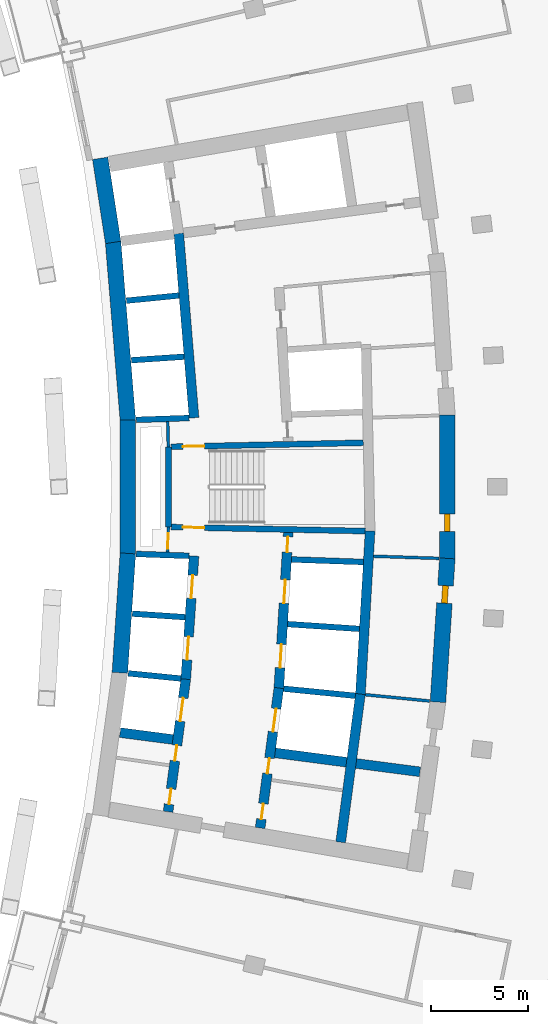
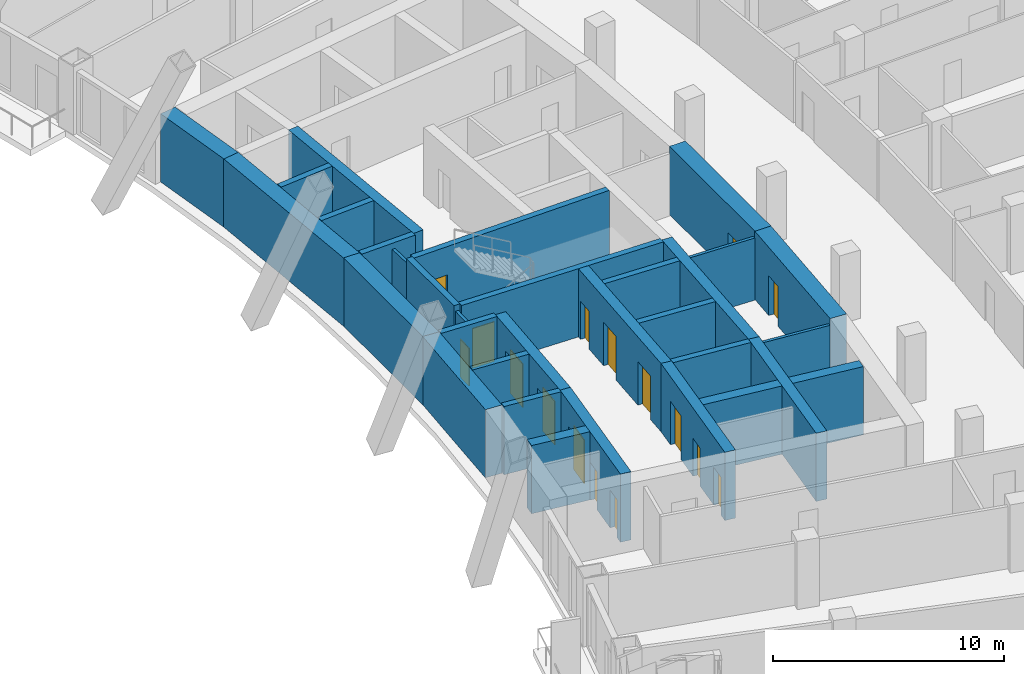
# One storey, part 16 of 25: 32 walls, 16 doors, 16 openings.
"""IFC4 building model written with IfcOpenShell, lengths in metres."""

from ifc_helpers import new_model, si_unit, direction, frame, frame_2d, origin, place, context, subcontext, project, spatial, rectangle, extrude, material, layer, layer_set, type_object, element, fill, save


model = new_model("IFC4")

# Units and contexts
model_context = context("Model", 3, precision=1e-05, world=origin(), true_north=direction((0.0, 1.0)))
body_context = subcontext(model_context, "Body", "Model", "MODEL_VIEW")
ifc_project = project(units=[si_unit("LENGTHUNIT", "METRE"), si_unit("AREAUNIT", "SQUARE_METRE"), si_unit("VOLUMEUNIT", "CUBIC_METRE"), si_unit("PLANEANGLEUNIT", "RADIAN"), si_unit("MASSUNIT", "GRAM", prefix="KILO")], contexts=[model_context])

# Site, building, storey
site_placement = place(None, origin())
site = spatial("IfcSite", under=ifc_project, at=site_placement, CompositionType="ELEMENT")
building_placement = place(site_placement, origin())
building = spatial("IfcBuilding", under=site, at=building_placement, Name="Alderwake Tower", CompositionType="ELEMENT")
storey_placement = place(building_placement, frame((0.0, 0.0, 114.800048828125)))
storey = spatial("IfcBuildingStorey", under=building, at=storey_placement, Name="L28", CompositionType="ELEMENT", Elevation=114.800048828125)

# Wall, opening, door
ifc_material_1 = material(Name="Gypsum shaft wall system, rated")
ifc_layer_1 = layer(ifc_material_1, 0.14990234375)
ifc_layer_set_1 = layer_set([ifc_layer_1], Name="Core room partition 150")
wall_type_1 = type_object("IfcWallType", Name="Core room partition 150", PredefinedType="PARTITIONING", material=ifc_layer_set_1)
wall_1_placement = place(storey_placement, frame((18.918701171875, 58.94384765625, 0.0), z_axis=(0.0, 0.0, 1.0), x_axis=(-0.027348257573, -0.999625966453, 0.0)))
wall_1 = element("IfcWall", 1, at=wall_1_placement, inside=storey, type_object=wall_type_1, Name="CW/L28/PA+24_-37", PredefinedType="PARTITIONING", context=body_context, shape_type="SweptSolid", body=[
    extrude(rectangle(XDim=1.29443359375, YDim=0.14990234375, at=frame_2d((0.647216796875, 0.0))), origin(), (0.0, 0.0, 1.0), 3.280029296875),
])
opening_1_placement = place(wall_1_placement, frame((0.322998046875, 0.0, 0.0)))
opening_1 = element("IfcOpeningElement", 2, at=opening_1_placement, cuts=wall_1, Name="Opening C004", PredefinedType="OPENING", context=body_context, shape_type="SweptSolid", body=[
    extrude(rectangle(XDim=0.800048828125, YDim=2.0, at=frame_2d((0.39990234375, 1.0))), frame((0.0, 0.0849609375, 0.0), z_axis=(0.0, -1.0, 0.0), x_axis=(1.0, 0.0, 0.0)), (0.0, 0.0, 1.0), 0.169921875),
])
ifc_material_2 = material(Name="Painted steel leaf, rated", Category="steel")
door_type_1 = type_object("IfcDoorType", Name="Riser access door 800", OperationType="SINGLE_SWING_LEFT", PredefinedType="DOOR", material=ifc_material_2)
door_1_placement = place(opening_1_placement, origin())
door_1 = element("IfcDoor", 3, at=door_1_placement, inside=storey, type_object=door_type_1, Name="Riser access door", OperationType="SINGLE_SWING_RIGHT", OverallHeight=2.0, OverallWidth=0.800048828125, PredefinedType="DOOR", context=body_context, shape_type="SweptSolid", body=[
    extrude(rectangle(XDim=0.800048828125, YDim=2.0, at=frame_2d((0.39990234375, 1.0))), frame((0.0, 0.02490234375, 0.0), z_axis=(0.0, -1.0, 0.0), x_axis=(1.0, 0.0, 0.0)), (0.0, 0.0, 1.0), 0.050048828125),
])
fill(opening_1, door_1)

# Walls
wall_2_placement = place(storey_placement, frame((18.918701171875, 63.05517578125, 0.0), z_axis=(0.0, 0.0, 1.0), x_axis=(-0.027327648352, 0.999626530078, 0.0)))
element("IfcWall", 4, at=wall_2_placement, inside=storey, type_object=wall_type_1, Name="CW/L28/PA+24_+22", PredefinedType="PARTITIONING", context=body_context, shape_type="SweptSolid", body=[
    extrude(rectangle(XDim=1.29541015625, YDim=0.14990234375, at=frame_2d((0.647705078125, 0.0))), origin(), (0.0, 0.0, 1.0), 3.280029296875),
])
wall_3_placement = place(storey_placement, frame((29.029296875, 50.331298828125, 0.0), z_axis=(0.0, 0.0, 1.0), x_axis=(0.995248248589, -0.097370034814, 0.0)))
element("IfcWall", 5, at=wall_3_placement, inside=storey, type_object=wall_type_1, Name="CW/L28/PR-102_+128", PredefinedType="PARTITIONING", context=body_context, shape_type="SweptSolid", body=[
    extrude(rectangle(XDim=3.31982421875, YDim=0.14990234375, at=frame_2d((1.659912109375, 0.0))), origin(), (0.0, 0.0, 1.0), 3.280029296875),
])
wall_4_placement = place(storey_placement, frame((29.45068359375, 57.440185546875, 0.0), z_axis=(0.0, 0.0, 1.0), x_axis=(0.999470404779, -0.0325408969, 0.0)))
element("IfcWall", 6, at=wall_4_placement, inside=storey, type_object=wall_type_1, Name="CW/L28/PR-34_+128", PredefinedType="PARTITIONING", context=body_context, shape_type="SweptSolid", body=[
    extrude(rectangle(XDim=3.361083984375, YDim=0.14990234375, at=frame_2d((1.6806640625, 0.0))), origin(), (0.0, 0.0, 1.0), 3.280029296875),
])
ifc_material_3 = material(Name="Concrete C70/85", Category="concrete")
ifc_layer_2 = layer(ifc_material_3, 0.800048828125)
ifc_layer_set_2 = layer_set([ifc_layer_2], Name="Core wall outer 800 C70-85")
wall_type_2 = type_object("IfcWallType", Name="Core wall outer 800 C70-85", PredefinedType="SHEAR", material=ifc_layer_set_2)
wall_5_placement = place(storey_placement, frame((16.429443359375, 51.45654296875, 0.0), z_axis=(0.0, 0.0, 1.0), x_axis=(0.066885651624, 0.997760647454, 0.0)))
element("IfcWall", 7, at=wall_5_placement, inside=storey, type_object=wall_type_2, Name="Core wall CW.041", PredefinedType="SHEAR", context=body_context, shape_type="SweptSolid", body=[
    extrude(rectangle(XDim=6.14306640625, YDim=0.800048828125, at=frame_2d((3.071533203125, 0.0))), origin(), (0.0, 0.0, 1.0), 3.599853515625),
])
wall_6_placement = place(storey_placement, frame((16.83935546875, 57.558349609375, 0.0), z_axis=(0.0, 0.0, 1.0), x_axis=(0.0, 1.0, 0.0)))
element("IfcWall", 8, at=wall_6_placement, inside=storey, type_object=wall_type_2, Name="Core wall CW.043", PredefinedType="SHEAR", context=body_context, shape_type="SweptSolid", body=[
    extrude(rectangle(XDim=6.886474609375, YDim=0.800048828125, at=frame_2d((3.443359375, 0.0))), origin(), (0.0, 0.0, 1.0), 3.599853515625),
])
wall_7_placement = place(storey_placement, frame((16.8408203125, 64.410888671875, 0.0), z_axis=(0.0, 0.0, 1.0), x_axis=(-0.082619502339, 0.996581164699, 0.0)))
element("IfcWall", 9, at=wall_7_placement, inside=storey, type_object=wall_type_2, Name="Core wall CW.040", PredefinedType="SHEAR", context=body_context, shape_type="SweptSolid", body=[
    extrude(rectangle(XDim=9.201904296875, YDim=0.800048828125, at=frame_2d((4.60107421875, 0.0))), origin(), (0.0, 0.0, 1.0), 3.599853515625),
])
wall_8_placement = place(storey_placement, frame((16.083984375, 73.552490234375, 0.0), z_axis=(0.0, 0.0, 1.0), x_axis=(-0.151981606421, 0.988383322052, 0.0)))
element("IfcWall", 10, at=wall_8_placement, inside=storey, type_object=wall_type_2, Name="Core wall CW.039", PredefinedType="SHEAR", context=body_context, shape_type="SweptSolid", body=[
    extrude(rectangle(XDim=4.369384765625, YDim=0.800048828125, at=frame_2d((2.1845703125, 0.0))), origin(), (0.0, 0.0, 1.0), 3.599853515625),
])

# Wall, opening, door
wall_9_placement = place(storey_placement, frame((33.240966796875, 57.330322265625, 0.0), z_axis=(0.0, 0.0, 1.0), x_axis=(-0.064976219143, -0.997886812693, 0.0)))
wall_9 = element("IfcWall", 11, at=wall_9_placement, inside=storey, type_object=wall_type_2, Name="Core wall CW.011", PredefinedType="SHEAR", context=body_context, shape_type="SweptSolid", body=[
    extrude(rectangle(XDim=7.39453125, YDim=0.800048828125, at=frame_2d((3.697265625, 0.0))), origin(), (0.0, 0.0, 1.0), 3.599853515625),
])
opening_2_placement = place(wall_9_placement, frame((1.40478515625, 0.0, 0.0)))
opening_2 = element("IfcOpeningElement", 12, at=opening_2_placement, cuts=wall_9, Name="Opening C026", PredefinedType="OPENING", context=body_context, shape_type="SweptSolid", body=[
    extrude(rectangle(XDim=0.89990234375, YDim=2.10009765625, at=frame_2d((0.449951171875, 1.050048828125))), frame((0.0, 0.409912109375, 0.0), z_axis=(0.0, -1.0, 0.0), x_axis=(1.0, 0.0, 0.0)), (0.0, 0.0, 1.0), 0.820068359375),
])
ifc_material_4 = material(Name="Painted steel leaf", Category="steel")
door_type_2 = type_object("IfcDoorType", Name="Core room door 900", OperationType="SINGLE_SWING_LEFT", PredefinedType="DOOR", material=ifc_material_4)
door_2_placement = place(opening_2_placement, origin())
door_2 = element("IfcDoor", 13, at=door_2_placement, inside=storey, type_object=door_type_2, Name="Room door", OperationType="SINGLE_SWING_RIGHT", OverallHeight=2.10009765625, OverallWidth=0.89990234375, PredefinedType="DOOR", context=body_context, shape_type="SweptSolid", body=[
    extrude(rectangle(XDim=0.89990234375, YDim=2.10009765625, at=frame_2d((0.449951171875, 1.050048828125))), frame((0.0, 0.14990234375, 0.0), z_axis=(0.0, -1.0, 0.0), x_axis=(1.0, 0.0, 0.0)), (0.0, 0.0, 1.0), 0.300048828125),
])
fill(opening_2, door_2)

wall_10_placement = place(storey_placement, frame((33.239990234375, 64.69677734375, 0.0), z_axis=(0.0, 0.0, 1.0), x_axis=(0.0, -1.0, 0.0)))
wall_10 = element("IfcWall", 14, at=wall_10_placement, inside=storey, type_object=wall_type_2, Name="Core wall CW.013", PredefinedType="SHEAR", context=body_context, shape_type="SweptSolid", body=[
    extrude(rectangle(XDim=7.3935546875, YDim=0.800048828125, at=frame_2d((3.69677734375, 0.0))), origin(), (0.0, 0.0, 1.0), 3.599853515625),
])
opening_3_placement = place(wall_10_placement, frame((5.08837890625, 0.0, 0.0)))
opening_3 = element("IfcOpeningElement", 15, at=opening_3_placement, cuts=wall_10, Name="Opening C030", PredefinedType="OPENING", context=body_context, shape_type="SweptSolid", body=[
    extrude(rectangle(XDim=0.89990234375, YDim=2.10009765625, at=frame_2d((0.449951171875, 1.050048828125))), frame((0.0, 0.409912109375, 0.0), z_axis=(0.0, -1.0, 0.0), x_axis=(1.0, 0.0, 0.0)), (0.0, 0.0, 1.0), 0.820068359375),
])
door_3_placement = place(opening_3_placement, origin())
door_3 = element("IfcDoor", 16, at=door_3_placement, inside=storey, type_object=door_type_2, Name="Room door", OperationType="SINGLE_SWING_LEFT", OverallHeight=2.10009765625, OverallWidth=0.89990234375, PredefinedType="DOOR", context=body_context, shape_type="SweptSolid", body=[
    extrude(rectangle(XDim=0.89990234375, YDim=2.10009765625, at=frame_2d((0.449951171875, 1.050048828125))), frame((0.0, 0.14990234375, 0.0), z_axis=(0.0, -1.0, 0.0), x_axis=(1.0, 0.0, 0.0)), (0.0, 0.0, 1.0), 0.300048828125),
])
fill(opening_3, door_3)

# Walls
ifc_material_5 = material(Name="Concrete C70/85", Category="concrete")
ifc_layer_3 = layer(ifc_material_5, 0.300048828125)
ifc_layer_set_3 = layer_set([ifc_layer_3], Name="Core wall shaft 300 C70-85")
wall_type_3 = type_object("IfcWallType", Name="Core wall shaft 300 C70-85", PredefinedType="SHEAR", material=ifc_layer_set_3)
wall_11_placement = place(storey_placement, frame((16.8583984375, 51.4287109375, 0.0), z_axis=(0.0, 0.0, 1.0), x_axis=(0.995157330456, -0.098294901394, 0.0)))
element("IfcWall", 17, at=wall_11_placement, inside=storey, type_object=wall_type_3, Name="Core wall CW.065", PredefinedType="SHEAR", context=body_context, shape_type="SweptSolid", body=[
    extrude(rectangle(XDim=2.7197265625, YDim=0.300048828125, at=frame_2d((1.35986328125, 0.0))), origin(), (0.0, 0.0, 1.0), 3.599853515625),
])
wall_12_placement = place(storey_placement, frame((24.839599609375, 50.64013671875, 0.0), z_axis=(0.0, 0.0, 1.0), x_axis=(0.995150987401, -0.098359098589, 0.0)))
element("IfcWall", 18, at=wall_12_placement, inside=storey, type_object=wall_type_3, Name="Core wall CW.066", PredefinedType="SHEAR", context=body_context, shape_type="SweptSolid", body=[
    extrude(rectangle(XDim=3.69580078125, YDim=0.300048828125, at=frame_2d((1.847900390625, 0.0))), origin(), (0.0, 0.0, 1.0), 3.599853515625),
])
wall_13_placement = place(storey_placement, frame((17.06396484375, 54.492919921875, 0.0), z_axis=(0.0, 0.0, 1.0), x_axis=(0.997758851023, -0.066912444326, 0.0)))
element("IfcWall", 19, at=wall_13_placement, inside=storey, type_object=wall_type_3, Name="Core wall CW.079", PredefinedType="SHEAR", context=body_context, shape_type="SweptSolid", body=[
    extrude(rectangle(XDim=2.71826171875, YDim=0.300048828125, at=frame_2d((1.359130859375, 0.0))), origin(), (0.0, 0.0, 1.0), 3.599853515625),
])
wall_14_placement = place(storey_placement, frame((25.0400390625, 53.9580078125, 0.0), z_axis=(0.0, 0.0, 1.0), x_axis=(0.997759957359, -0.066895945251, 0.0)))
element("IfcWall", 20, at=wall_14_placement, inside=storey, type_object=wall_type_3, Name="Core wall CW.080", PredefinedType="SHEAR", context=body_context, shape_type="SweptSolid", body=[
    extrude(rectangle(XDim=3.697021484375, YDim=0.300048828125, at=frame_2d((1.8486328125, 0.0))), origin(), (0.0, 0.0, 1.0), 3.599853515625),
])
wall_15_placement = place(storey_placement, frame((17.269287109375, 57.556884765625, 0.0), z_axis=(0.0, 0.0, 1.0), x_axis=(0.999374351644, -0.035368139275, 0.0)))
element("IfcWall", 21, at=wall_15_placement, inside=storey, type_object=wall_type_3, Name="Core wall CW.076", PredefinedType="SHEAR", context=body_context, shape_type="SweptSolid", body=[
    extrude(rectangle(XDim=2.7197265625, YDim=0.300048828125, at=frame_2d((1.35986328125, 0.0))), origin(), (0.0, 0.0, 1.0), 3.599853515625),
])
wall_16_placement = place(storey_placement, frame((25.240478515625, 57.27490234375, 0.0), z_axis=(0.0, 0.0, 1.0), x_axis=(0.999372332678, -0.035425141877, 0.0)))
element("IfcWall", 22, at=wall_16_placement, inside=storey, type_object=wall_type_3, Name="Core wall CW.077", PredefinedType="SHEAR", context=body_context, shape_type="SweptSolid", body=[
    extrude(rectangle(XDim=3.69384765625, YDim=0.300048828125, at=frame_2d((1.846923828125, 0.0))), origin(), (0.0, 0.0, 1.0), 3.599853515625),
])
wall_17_placement = place(storey_placement, frame((17.269287109375, 64.443115234375, 0.0), z_axis=(0.0, 0.0, 1.0), x_axis=(0.999374239339, 0.03537131246, 0.0)))
element("IfcWall", 23, at=wall_17_placement, inside=storey, type_object=wall_type_3, Name="Core wall CW.059", PredefinedType="SHEAR", context=body_context, shape_type="SweptSolid", body=[
    extrude(rectangle(XDim=2.719482421875, YDim=0.300048828125, at=frame_2d((1.35986328125, 0.0))), origin(), (0.0, 0.0, 1.0), 3.599853515625),
])
for number, where, z_axis, x_axis, name in (
    (24, (17.015869140625, 67.50390625, 0.0), (0.0, 0.0, 1.0), (0.997756033475, 0.066954444689, 0.0), "Core wall CW.062"),
    (25, (16.76220703125, 70.561767578125, 0.0), (0.0, 0.0, 1.0), (0.995154832978, 0.098320183083, 0.0), "Core wall CW.050"),
):
    element("IfcWall", number, at=place(storey_placement, frame(where, z_axis=z_axis, x_axis=x_axis)), inside=storey, type_object=wall_type_3, Name=name, PredefinedType="SHEAR", context=body_context, shape_type="SweptSolid", body=[
        extrude(rectangle(XDim=2.716552734375, YDim=0.300048828125, at=frame_2d((1.3583984375, 0.0))), origin(), (0.0, 0.0, 1.0), 3.599853515625),
    ])

# Wall, openings, doors
ifc_material_6 = material(Name="Concrete C70/85", Category="concrete")
ifc_layer_4 = layer(ifc_material_6, 0.5)
ifc_layer_set_4 = layer_set([ifc_layer_4], Name="Core wall spine 500 C70-85")
wall_type_4 = type_object("IfcWallType", Name="Core wall spine 500 C70-85", PredefinedType="SHEAR", material=ifc_layer_set_4)
wall_18_placement = place(storey_placement, frame((19.81494140625, 51.145263671875, 0.0), z_axis=(0.0, 0.0, 1.0), x_axis=(-0.132349652161, -0.991203091991, 0.0)))
wall_18 = element("IfcWall", 26, at=wall_18_placement, inside=storey, type_object=wall_type_4, Name="Core wall CW.033", PredefinedType="SHEAR", context=body_context, shape_type="SweptSolid", body=[
    extrude(rectangle(XDim=6.880615234375, YDim=0.5, at=frame_2d((3.4404296875, 0.0))), origin(), (0.0, 0.0, 1.0), 3.599853515625),
])
opening_4_placement = place(wall_18_placement, frame((0.99072265625, 0.0, 0.0)))
opening_4 = element("IfcOpeningElement", 27, at=opening_4_placement, cuts=wall_18, Name="Opening LD-LP1", PredefinedType="OPENING", context=body_context, shape_type="SweptSolid", body=[
    extrude(rectangle(XDim=1.199951171875, YDim=2.300048828125, at=frame_2d((0.60009765625, 1.14990234375))), frame((0.0, 0.260009765625, 0.0), z_axis=(0.0, -1.0, 0.0), x_axis=(1.0, 0.0, 0.0)), (0.0, 0.0, 1.0), 0.52001953125),
])
opening_5_placement = place(wall_18_placement, frame((5.698486328125, 0.0, 0.0)))
opening_5 = element("IfcOpeningElement", 28, at=opening_5_placement, cuts=wall_18, Name="Opening C008", PredefinedType="OPENING", context=body_context, shape_type="SweptSolid", body=[
    extrude(rectangle(XDim=0.800048828125, YDim=2.0, at=frame_2d((0.39990234375, 1.0))), frame((0.0, 0.260009765625, 0.0), z_axis=(0.0, -1.0, 0.0), x_axis=(1.0, 0.0, 0.0)), (0.0, 0.0, 1.0), 0.52001953125),
])
opening_6_placement = place(wall_18_placement, frame((3.444580078125, 0.0, 0.0)))
opening_6 = element("IfcOpeningElement", 29, at=opening_6_placement, cuts=wall_18, Name="Opening C012", PredefinedType="OPENING", context=body_context, shape_type="SweptSolid", body=[
    extrude(rectangle(XDim=0.800048828125, YDim=2.0, at=frame_2d((0.39990234375, 1.0))), frame((0.0, 0.260009765625, 0.0), z_axis=(0.0, -1.0, 0.0), x_axis=(1.0, 0.0, 0.0)), (0.0, 0.0, 1.0), 0.52001953125),
])
ifc_material_7 = material(Name="Stainless steel sliding leaf", Category="steel")
door_type_3 = type_object("IfcDoorType", Name="Lift landing door 1200", OperationType="SLIDING_TO_LEFT", PredefinedType="DOOR", material=ifc_material_7)
door_4_placement = place(opening_4_placement, origin())
door_4 = element("IfcDoor", 30, at=door_4_placement, inside=storey, type_object=door_type_3, Name="Lift landing door LP1", OperationType="SLIDING_TO_LEFT", OverallHeight=2.300048828125, OverallWidth=1.199951171875, PredefinedType="DOOR", context=body_context, shape_type="SweptSolid", body=[
    extrude(rectangle(XDim=1.199951171875, YDim=2.300048828125, at=frame_2d((0.60009765625, 1.14990234375))), frame((0.0, 0.02490234375, 0.0), z_axis=(0.0, -1.0, 0.0), x_axis=(1.0, 0.0, 0.0)), (0.0, 0.0, 1.0), 0.050048828125),
])
fill(opening_4, door_4)
door_5_placement = place(opening_5_placement, origin())
door_5 = element("IfcDoor", 31, at=door_5_placement, inside=storey, type_object=door_type_1, Name="Riser access door", OperationType="SINGLE_SWING_LEFT", OverallHeight=2.0, OverallWidth=0.800048828125, PredefinedType="DOOR", context=body_context, shape_type="SweptSolid", body=[
    extrude(rectangle(XDim=0.800048828125, YDim=2.0, at=frame_2d((0.39990234375, 1.0))), frame((0.0, 0.02490234375, 0.0), z_axis=(0.0, -1.0, 0.0), x_axis=(1.0, 0.0, 0.0)), (0.0, 0.0, 1.0), 0.050048828125),
])
fill(opening_5, door_5)
door_6_placement = place(opening_6_placement, origin())
door_6 = element("IfcDoor", 32, at=door_6_placement, inside=storey, type_object=door_type_1, Name="Riser access door", OperationType="SINGLE_SWING_RIGHT", OverallHeight=2.0, OverallWidth=0.800048828125, PredefinedType="DOOR", context=body_context, shape_type="SweptSolid", body=[
    extrude(rectangle(XDim=0.800048828125, YDim=2.0, at=frame_2d((0.39990234375, 1.0))), frame((0.0, 0.02490234375, 0.0), z_axis=(0.0, -1.0, 0.0), x_axis=(1.0, 0.0, 0.0)), (0.0, 0.0, 1.0), 0.050048828125),
])
fill(opening_6, door_6)

wall_19_placement = place(storey_placement, frame((19.813232421875, 51.1279296875, 0.0), z_axis=(0.0, 0.0, 1.0), x_axis=(0.066907604831, 0.997759175561, 0.0)))
wall_19 = element("IfcWall", 33, at=wall_19_placement, inside=storey, type_object=wall_type_4, Name="Core wall CW.032", PredefinedType="SHEAR", context=body_context, shape_type="SweptSolid", body=[
    extrude(rectangle(XDim=6.338134765625, YDim=0.5, at=frame_2d((3.1689453125, 0.0))), origin(), (0.0, 0.0, 1.0), 3.599853515625),
])
opening_7_placement = place(wall_19_placement, frame((0.990966796875, 0.0, 0.0)))
opening_7 = element("IfcOpeningElement", 34, at=opening_7_placement, cuts=wall_19, Name="Opening LD-LP2", PredefinedType="OPENING", context=body_context, shape_type="SweptSolid", body=[
    extrude(rectangle(XDim=1.199951171875, YDim=2.300048828125, at=frame_2d((0.60009765625, 1.14990234375))), frame((0.0, 0.260009765625, 0.0), z_axis=(0.0, -1.0, 0.0), x_axis=(1.0, 0.0, 0.0)), (0.0, 0.0, 1.0), 0.52001953125),
])
opening_8_placement = place(wall_19_placement, frame((4.156005859375, 0.0, 0.0)))
opening_8 = element("IfcOpeningElement", 35, at=opening_8_placement, cuts=wall_19, Name="Opening LD-LP3", PredefinedType="OPENING", context=body_context, shape_type="SweptSolid", body=[
    extrude(rectangle(XDim=1.199951171875, YDim=2.300048828125, at=frame_2d((0.60009765625, 1.14990234375))), frame((0.0, 0.260009765625, 0.0), z_axis=(0.0, -1.0, 0.0), x_axis=(1.0, 0.0, 0.0)), (0.0, 0.0, 1.0), 0.52001953125),
])
door_7_placement = place(opening_7_placement, origin())
door_7 = element("IfcDoor", 36, at=door_7_placement, inside=storey, type_object=door_type_3, Name="Lift landing door LP2", OperationType="SLIDING_TO_LEFT", OverallHeight=2.300048828125, OverallWidth=1.199951171875, PredefinedType="DOOR", context=body_context, shape_type="SweptSolid", body=[
    extrude(rectangle(XDim=1.199951171875, YDim=2.300048828125, at=frame_2d((0.60009765625, 1.14990234375))), frame((0.0, 0.02490234375, 0.0), z_axis=(0.0, -1.0, 0.0), x_axis=(1.0, 0.0, 0.0)), (0.0, 0.0, 1.0), 0.050048828125),
])
fill(opening_7, door_7)
door_8_placement = place(opening_8_placement, origin())
door_8 = element("IfcDoor", 37, at=door_8_placement, inside=storey, type_object=door_type_3, Name="Lift landing door LP3", OperationType="SLIDING_TO_LEFT", OverallHeight=2.300048828125, OverallWidth=1.199951171875, PredefinedType="DOOR", context=body_context, shape_type="SweptSolid", body=[
    extrude(rectangle(XDim=1.199951171875, YDim=2.300048828125, at=frame_2d((0.60009765625, 1.14990234375))), frame((0.0, 0.02490234375, 0.0), z_axis=(0.0, -1.0, 0.0), x_axis=(1.0, 0.0, 0.0)), (0.0, 0.0, 1.0), 0.050048828125),
])
fill(opening_8, door_8)

# Wall
wall_20_placement = place(storey_placement, frame((20.2373046875, 64.548095703125, 0.0), z_axis=(0.0, 0.0, 1.0), x_axis=(-0.082641410547, 0.996579348202, 0.0)))
element("IfcWall", 38, at=wall_20_placement, inside=storey, type_object=wall_type_4, Name="Core wall CW.031", PredefinedType="SHEAR", context=body_context, shape_type="SweptSolid", body=[
    extrude(rectangle(XDim=9.500732421875, YDim=0.5, at=frame_2d((4.75048828125, 0.0))), origin(), (0.0, 0.0, 1.0), 3.599853515625),
])

# Wall, openings, doors
wall_21_placement = place(storey_placement, frame((23.631103515625, 43.489501953125, 0.0), z_axis=(0.0, 0.0, 1.0), x_axis=(0.132532135635, 0.991178708924, 0.0)))
wall_21 = element("IfcWall", 39, at=wall_21_placement, inside=storey, type_object=wall_type_4, Name="Core wall CW.047", PredefinedType="SHEAR", context=body_context, shape_type="SweptSolid", body=[
    extrude(rectangle(XDim=7.248779296875, YDim=0.5, at=frame_2d((3.62451171875, 0.0))), origin(), (0.0, 0.0, 1.0), 3.599853515625),
])
opening_9_placement = place(wall_21_placement, frame((4.981201171875, 0.0, 0.0)))
opening_9 = element("IfcOpeningElement", 40, at=opening_9_placement, cuts=wall_21, Name="Opening LD-LP4", PredefinedType="OPENING", context=body_context, shape_type="SweptSolid", body=[
    extrude(rectangle(XDim=1.199951171875, YDim=2.300048828125, at=frame_2d((0.60009765625, 1.14990234375))), frame((0.0, 0.260009765625, 0.0), z_axis=(0.0, -1.0, 0.0), x_axis=(1.0, 0.0, 0.0)), (0.0, 0.0, 1.0), 0.52001953125),
])
opening_10_placement = place(wall_21_placement, frame((0.4580078125, 0.0, 0.0)))
opening_10 = element("IfcOpeningElement", 41, at=opening_10_placement, cuts=wall_21, Name="Opening C015", PredefinedType="OPENING", context=body_context, shape_type="SweptSolid", body=[
    extrude(rectangle(XDim=0.800048828125, YDim=2.0, at=frame_2d((0.39990234375, 1.0))), frame((0.0, 0.260009765625, 0.0), z_axis=(0.0, -1.0, 0.0), x_axis=(1.0, 0.0, 0.0)), (0.0, 0.0, 1.0), 0.52001953125),
])
opening_11_placement = place(wall_21_placement, frame((2.819580078125, 0.0, 0.0)))
opening_11 = element("IfcOpeningElement", 42, at=opening_11_placement, cuts=wall_21, Name="Opening C019", PredefinedType="OPENING", context=body_context, shape_type="SweptSolid", body=[
    extrude(rectangle(XDim=0.800048828125, YDim=2.0, at=frame_2d((0.39990234375, 1.0))), frame((0.0, 0.260009765625, 0.0), z_axis=(0.0, -1.0, 0.0), x_axis=(1.0, 0.0, 0.0)), (0.0, 0.0, 1.0), 0.52001953125),
])
door_9_placement = place(opening_9_placement, origin())
door_9 = element("IfcDoor", 43, at=door_9_placement, inside=storey, type_object=door_type_3, Name="Lift landing door LP4", OperationType="SLIDING_TO_LEFT", OverallHeight=2.300048828125, OverallWidth=1.199951171875, PredefinedType="DOOR", context=body_context, shape_type="SweptSolid", body=[
    extrude(rectangle(XDim=1.199951171875, YDim=2.300048828125, at=frame_2d((0.60009765625, 1.14990234375))), frame((0.0, 0.02490234375, 0.0), z_axis=(0.0, -1.0, 0.0), x_axis=(1.0, 0.0, 0.0)), (0.0, 0.0, 1.0), 0.050048828125),
])
fill(opening_9, door_9)
door_10_placement = place(opening_10_placement, origin())
door_10 = element("IfcDoor", 44, at=door_10_placement, inside=storey, type_object=door_type_1, Name="Riser access door", OperationType="SINGLE_SWING_LEFT", OverallHeight=2.0, OverallWidth=0.800048828125, PredefinedType="DOOR", context=body_context, shape_type="SweptSolid", body=[
    extrude(rectangle(XDim=0.800048828125, YDim=2.0, at=frame_2d((0.39990234375, 1.0))), frame((0.0, 0.02490234375, 0.0), z_axis=(0.0, -1.0, 0.0), x_axis=(1.0, 0.0, 0.0)), (0.0, 0.0, 1.0), 0.050048828125),
])
fill(opening_10, door_10)
door_11_placement = place(opening_11_placement, origin())
door_11 = element("IfcDoor", 45, at=door_11_placement, inside=storey, type_object=door_type_1, Name="Riser access door", OperationType="SINGLE_SWING_RIGHT", OverallHeight=2.0, OverallWidth=0.800048828125, PredefinedType="DOOR", context=body_context, shape_type="SweptSolid", body=[
    extrude(rectangle(XDim=0.800048828125, YDim=2.0, at=frame_2d((0.39990234375, 1.0))), frame((0.0, 0.02490234375, 0.0), z_axis=(0.0, -1.0, 0.0), x_axis=(1.0, 0.0, 0.0)), (0.0, 0.0, 1.0), 0.050048828125),
])
fill(opening_11, door_11)

wall_22_placement = place(storey_placement, frame((24.590087890625, 50.655029296875, 0.0), z_axis=(0.0, 0.0, 1.0), x_axis=(0.060305817737, 0.998179947879, 0.0)))
wall_22 = element("IfcWall", 46, at=wall_22_placement, inside=storey, type_object=wall_type_4, Name="Core wall CW.046", PredefinedType="SHEAR", context=body_context, shape_type="SweptSolid", body=[
    extrude(rectangle(XDim=8.02392578125, YDim=0.5, at=frame_2d((4.011962890625, 0.0))), origin(), (0.0, 0.0, 1.0), 3.599853515625),
])
opening_12_placement = place(wall_22_placement, frame((1.067138671875, 0.0, 0.0)))
opening_12 = element("IfcOpeningElement", 47, at=opening_12_placement, cuts=wall_22, Name="Opening LD-LP5", PredefinedType="OPENING", context=body_context, shape_type="SweptSolid", body=[
    extrude(rectangle(XDim=1.199951171875, YDim=2.300048828125, at=frame_2d((0.60009765625, 1.14990234375))), frame((0.0, 0.260009765625, 0.0), z_axis=(0.0, -1.0, 0.0), x_axis=(1.0, 0.0, 0.0)), (0.0, 0.0, 1.0), 0.52001953125),
])
opening_13_placement = place(wall_22_placement, frame((4.383544921875, 0.0, 0.0)))
opening_13 = element("IfcOpeningElement", 48, at=opening_13_placement, cuts=wall_22, Name="Opening LD-LP6", PredefinedType="OPENING", context=body_context, shape_type="SweptSolid", body=[
    extrude(rectangle(XDim=1.199951171875, YDim=2.300048828125, at=frame_2d((0.60009765625, 1.14990234375))), frame((0.0, 0.260009765625, 0.0), z_axis=(0.0, -1.0, 0.0), x_axis=(1.0, 0.0, 0.0)), (0.0, 0.0, 1.0), 0.52001953125),
])
opening_14_placement = place(wall_22_placement, frame((7.0078125, 0.0, 0.0)))
opening_14 = element("IfcOpeningElement", 49, at=opening_14_placement, cuts=wall_22, Name="Opening C006", PredefinedType="OPENING", context=body_context, shape_type="SweptSolid", body=[
    extrude(rectangle(XDim=0.800048828125, YDim=2.0, at=frame_2d((0.39990234375, 1.0))), frame((0.0, 0.260009765625, 0.0), z_axis=(0.0, -1.0, 0.0), x_axis=(1.0, 0.0, 0.0)), (0.0, 0.0, 1.0), 0.52001953125),
])
door_12_placement = place(opening_12_placement, origin())
door_12 = element("IfcDoor", 50, at=door_12_placement, inside=storey, type_object=door_type_3, Name="Lift landing door LP5", OperationType="SLIDING_TO_LEFT", OverallHeight=2.300048828125, OverallWidth=1.199951171875, PredefinedType="DOOR", context=body_context, shape_type="SweptSolid", body=[
    extrude(rectangle(XDim=1.199951171875, YDim=2.300048828125, at=frame_2d((0.60009765625, 1.14990234375))), frame((0.0, 0.02490234375, 0.0), z_axis=(0.0, -1.0, 0.0), x_axis=(1.0, 0.0, 0.0)), (0.0, 0.0, 1.0), 0.050048828125),
])
fill(opening_12, door_12)
door_13_placement = place(opening_13_placement, origin())
door_13 = element("IfcDoor", 51, at=door_13_placement, inside=storey, type_object=door_type_3, Name="Lift landing door LP6", OperationType="SLIDING_TO_LEFT", OverallHeight=2.300048828125, OverallWidth=1.199951171875, PredefinedType="DOOR", context=body_context, shape_type="SweptSolid", body=[
    extrude(rectangle(XDim=1.199951171875, YDim=2.300048828125, at=frame_2d((0.60009765625, 1.14990234375))), frame((0.0, 0.02490234375, 0.0), z_axis=(0.0, -1.0, 0.0), x_axis=(1.0, 0.0, 0.0)), (0.0, 0.0, 1.0), 0.050048828125),
])
fill(opening_13, door_13)
door_14_placement = place(opening_14_placement, origin())
door_14 = element("IfcDoor", 52, at=door_14_placement, inside=storey, type_object=door_type_1, Name="Riser access door", OperationType="SINGLE_SWING_RIGHT", OverallHeight=2.0, OverallWidth=0.800048828125, PredefinedType="DOOR", context=body_context, shape_type="SweptSolid", body=[
    extrude(rectangle(XDim=0.800048828125, YDim=2.0, at=frame_2d((0.39990234375, 1.0))), frame((0.0, 0.02490234375, 0.0), z_axis=(0.0, -1.0, 0.0), x_axis=(1.0, 0.0, 0.0)), (0.0, 0.0, 1.0), 0.050048828125),
])
fill(opening_14, door_14)

# Walls
wall_23_placement = place(storey_placement, frame((27.76708984375, 42.75830078125, 0.0), z_axis=(0.0, 0.0, 1.0), x_axis=(0.132213731211, 0.991221231249, 0.0)))
element("IfcWall", 53, at=wall_23_placement, inside=storey, type_object=wall_type_4, Name="Core wall CW.006", PredefinedType="SHEAR", context=body_context, shape_type="SweptSolid", body=[
    extrude(rectangle(XDim=7.67431640625, YDim=0.5, at=frame_2d((3.837158203125, 0.0))), origin(), (0.0, 0.0, 1.0), 3.599853515625),
])
wall_24_placement = place(storey_placement, frame((28.77978515625, 50.345947265625, 0.0), z_axis=(0.0, 0.0, 1.0), x_axis=(0.059159556477, 0.998248539632, 0.0)))
element("IfcWall", 54, at=wall_24_placement, inside=storey, type_object=wall_type_4, Name="Core wall CW.004", PredefinedType="SHEAR", context=body_context, shape_type="SweptSolid", body=[
    extrude(rectangle(XDim=8.40625, YDim=0.5, at=frame_2d((4.203125, 0.0))), origin(), (0.0, 0.0, 1.0), 3.599853515625),
])
wall_25_placement = place(storey_placement, frame((16.43994140625, 48.38623046875, 0.0), z_axis=(0.0, 0.0, 1.0), x_axis=(0.991557472006, -0.129667959452, 0.0)))
element("IfcWall", 55, at=wall_25_placement, inside=storey, type_object=wall_type_4, Name="Core wall CW.067", PredefinedType="SHEAR", context=body_context, shape_type="SweptSolid", body=[
    extrude(rectangle(XDim=2.72998046875, YDim=0.5, at=frame_2d((1.364990234375, 0.0))), origin(), (0.0, 0.0, 1.0), 3.599853515625),
])
wall_26_placement = place(storey_placement, frame((24.39892578125, 47.345458984375, 0.0), z_axis=(0.0, 0.0, 1.0), x_axis=(0.991553185565, -0.129700733209, 0.0)))
element("IfcWall", 56, at=wall_26_placement, inside=storey, type_object=wall_type_4, Name="Core wall CW.069", PredefinedType="SHEAR", context=body_context, shape_type="SweptSolid", body=[
    extrude(rectangle(XDim=3.695068359375, YDim=0.5, at=frame_2d((1.84765625, 0.0))), origin(), (0.0, 0.0, 1.0), 3.599853515625),
])
wall_27_placement = place(storey_placement, frame((28.55859375, 46.80126953125, 0.0), z_axis=(0.0, 0.0, 1.0), x_axis=(0.991555852521, -0.129680342885, 0.0)))
element("IfcWall", 57, at=wall_27_placement, inside=storey, type_object=wall_type_4, Name="Core wall CW.068", PredefinedType="SHEAR", context=body_context, shape_type="SweptSolid", body=[
    extrude(rectangle(XDim=3.303955078125, YDim=0.5, at=frame_2d((1.65185546875, 0.0))), origin(), (0.0, 0.0, 1.0), 3.599853515625),
])
ifc_material_8 = material(Name="Concrete C70/85", Category="concrete")
ifc_layer_5 = layer(ifc_material_8, 0.300048828125)
ifc_layer_set_5 = layer_set([ifc_layer_5], Name="Core wall stair enclosure 300 C70-85")
wall_type_5 = type_object("IfcWallType", Name="Core wall stair enclosure 300 C70-85", PredefinedType="SHEAR", material=ifc_layer_set_5)
wall_28_placement = place(storey_placement, frame((18.918701171875, 58.94091796875, 0.0), z_axis=(0.0, 0.0, 1.0), x_axis=(0.0, 1.0, 0.0)))
element("IfcWall", 58, at=wall_28_placement, inside=storey, type_object=wall_type_5, Name="Core wall CW.024", PredefinedType="SHEAR", context=body_context, shape_type="SweptSolid", body=[
    extrude(rectangle(XDim=4.119384765625, YDim=0.300048828125, at=frame_2d((2.0595703125, 0.0))), origin(), (0.0, 0.0, 1.0), 3.599853515625),
])

# Wall, opening, door
wall_29_placement = place(storey_placement, frame((29.026123046875, 58.73193359375, 0.0), z_axis=(0.0, 0.0, 1.0), x_axis=(-0.999783418156, 0.020811457903, 0.0)))
wall_29 = element("IfcWall", 59, at=wall_29_placement, inside=storey, type_object=wall_type_5, Name="Core wall CW.074", PredefinedType="SHEAR", context=body_context, shape_type="SweptSolid", body=[
    extrude(rectangle(XDim=9.959716796875, YDim=0.300048828125, at=frame_2d((4.97998046875, 0.0))), origin(), (0.0, 0.0, 1.0), 3.599853515625),
])
opening_15_placement = place(wall_29_placement, frame((8.259765625, 0.0, 0.0)))
opening_15 = element("IfcOpeningElement", 60, at=opening_15_placement, cuts=wall_29, Name="Opening C063", PredefinedType="OPENING", context=body_context, shape_type="SweptSolid", body=[
    extrude(rectangle(XDim=1.10009765625, YDim=2.10009765625, at=frame_2d((0.550048828125, 1.050048828125))), frame((0.0, 0.159912109375, 0.0), z_axis=(0.0, -1.0, 0.0), x_axis=(1.0, 0.0, 0.0)), (0.0, 0.0, 1.0), 0.320068359375),
])
ifc_material_9 = material(Name="Steel-framed fire door leaf", Category="steel")
door_type_4 = type_object("IfcDoorType", Name="Core stair door 1100 fire-rated", OperationType="SINGLE_SWING_LEFT", PredefinedType="DOOR", material=ifc_material_9)
door_15_placement = place(opening_15_placement, origin())
door_15 = element("IfcDoor", 61, at=door_15_placement, inside=storey, type_object=door_type_4, Name="Stair door", OperationType="SINGLE_SWING_RIGHT", OverallHeight=2.10009765625, OverallWidth=1.10009765625, PredefinedType="DOOR", context=body_context, shape_type="SweptSolid", body=[
    extrude(rectangle(XDim=1.10009765625, YDim=2.10009765625, at=frame_2d((0.550048828125, 1.050048828125))), frame((0.0, 0.02490234375, 0.0), z_axis=(0.0, -1.0, 0.0), x_axis=(1.0, 0.0, 0.0)), (0.0, 0.0, 1.0), 0.050048828125),
])
fill(opening_15, door_15)

wall_30_placement = place(storey_placement, frame((19.068603515625, 63.060791015625, 0.0), z_axis=(0.0, 0.0, 1.0), x_axis=(0.999783647187, 0.02080045235, 0.0)))
wall_30 = element("IfcWall", 62, at=wall_30_placement, inside=storey, type_object=wall_type_5, Name="Core wall CW.057", PredefinedType="SHEAR", context=body_context, shape_type="SweptSolid", body=[
    extrude(rectangle(XDim=9.859375, YDim=0.300048828125, at=frame_2d((4.9296875, 0.0))), origin(), (0.0, 0.0, 1.0), 3.599853515625),
])
opening_16_placement = place(wall_30_placement, frame((0.60009765625, 0.0, 0.0)))
opening_16 = element("IfcOpeningElement", 63, at=opening_16_placement, cuts=wall_30, Name="Opening C064", PredefinedType="OPENING", context=body_context, shape_type="SweptSolid", body=[
    extrude(rectangle(XDim=1.10009765625, YDim=2.10009765625, at=frame_2d((0.550048828125, 1.050048828125))), frame((0.0, 0.159912109375, 0.0), z_axis=(0.0, -1.0, 0.0), x_axis=(1.0, 0.0, 0.0)), (0.0, 0.0, 1.0), 0.320068359375),
])
door_16_placement = place(opening_16_placement, origin())
door_16 = element("IfcDoor", 64, at=door_16_placement, inside=storey, type_object=door_type_4, Name="Stair door", OperationType="SINGLE_SWING_LEFT", OverallHeight=2.10009765625, OverallWidth=1.10009765625, PredefinedType="DOOR", context=body_context, shape_type="SweptSolid", body=[
    extrude(rectangle(XDim=1.10009765625, YDim=2.10009765625, at=frame_2d((0.550048828125, 1.050048828125))), frame((0.0, 0.02490234375, 0.0), z_axis=(0.0, -1.0, 0.0), x_axis=(1.0, 0.0, 0.0)), (0.0, 0.0, 1.0), 0.050048828125),
])
fill(opening_16, door_16)

save(model, "model.ifc")
